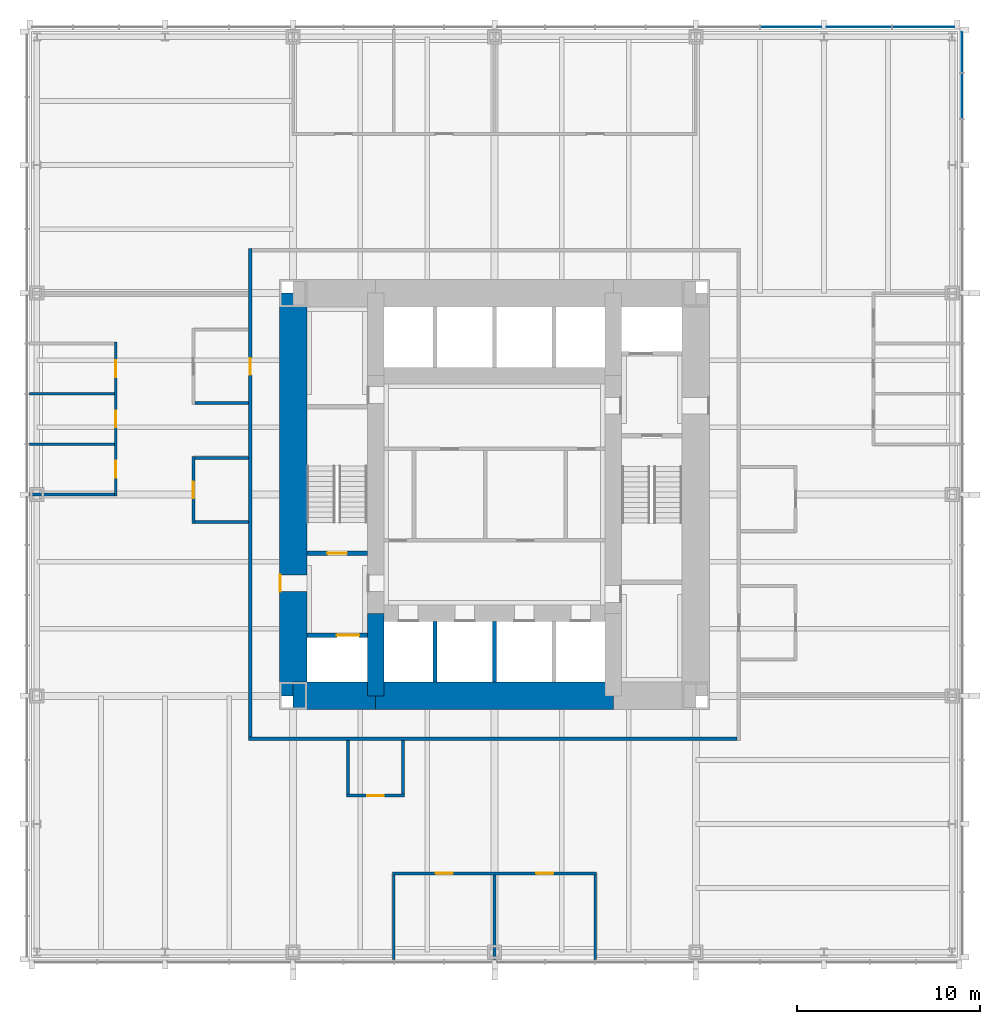
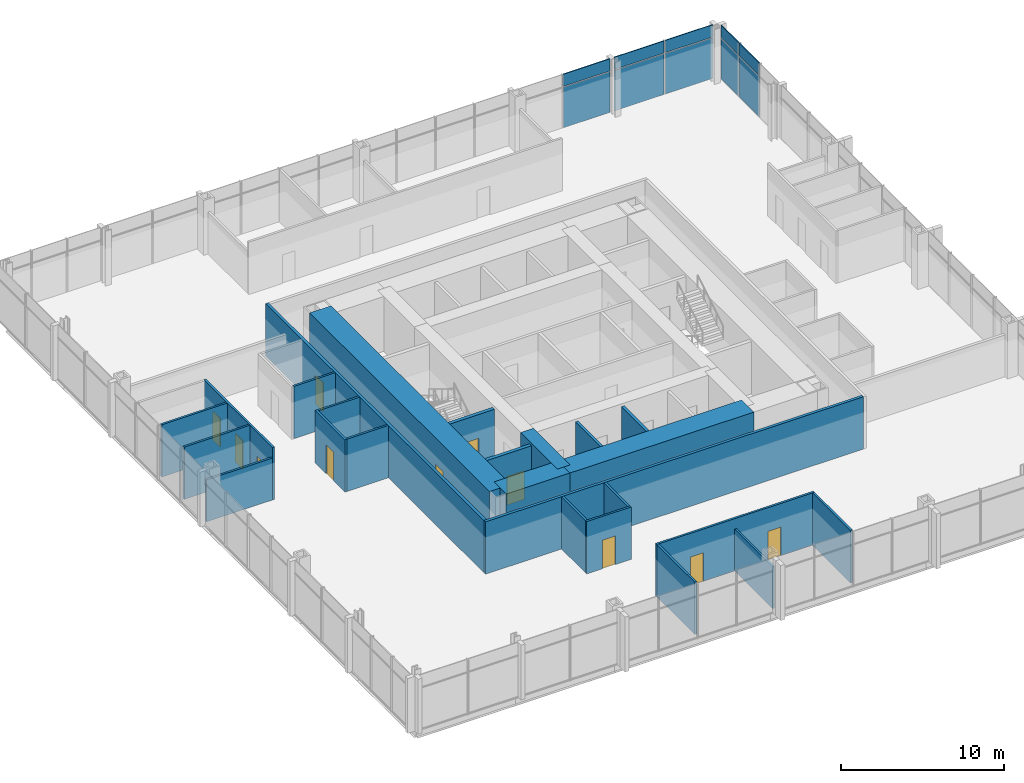
# One storey, part 9 of 12: 25 walls, 11 doors, 10 plates, 11 openings, 2 elements without a shape of their own.
"""IFC4 building model written with IfcOpenShell, lengths in metres."""

from ifc_helpers import new_model, si_unit, direction, frame, frame_2d, origin, origin_2d, place, context, subcontext, project, spatial, rectangle, extrude, material, layer, layer_set, type_object, element, fill, aggregate, save


model = new_model("IFC4")

# Units and contexts
model_context = context("Model", 3, precision=1e-05, world=origin(), true_north=direction((0.0, 1.0)))
body_context = subcontext(model_context, "Body", "Model", "MODEL_VIEW")
ifc_project = project(units=[si_unit("LENGTHUNIT", "METRE"), si_unit("AREAUNIT", "SQUARE_METRE"), si_unit("VOLUMEUNIT", "CUBIC_METRE"), si_unit("PLANEANGLEUNIT", "RADIAN"), si_unit("MASSUNIT", "GRAM", prefix="KILO")], contexts=[model_context])

# Site, building, storey
site_placement = place(None, origin())
site = spatial("IfcSite", under=ifc_project, at=site_placement, CompositionType="ELEMENT")
building_placement = place(site_placement, origin())
building = spatial("IfcBuilding", under=site, at=building_placement, Name="Trevanion Tower", CompositionType="ELEMENT")
storey_placement = place(building_placement, frame((0.0, 0.0, 61.10009765625)))
storey = spatial("IfcBuildingStorey", under=building, at=storey_placement, Name="L14", CompositionType="ELEMENT", Elevation=61.10009765625)

# Curtain wall, plates
ifc_material_1 = material(Name="Aluminium and glass", Category="aluminium")
curtain_wall_type = type_object("IfcCurtainWallType", Name="CW1 curtain wall", PredefinedType="USERDEFINED", material=ifc_material_1)
curtain_wall_1_placement = place(storey_placement, origin())
curtain_wall_1 = element("IfcCurtainWall", 1, at=curtain_wall_1_placement, inside=storey, type_object=curtain_wall_type, Name="CW1 L14 0", ObjectType="UNITISED CURTAIN WALL", PredefinedType="USERDEFINED")
ifc_material_2 = material(Name="Aluminium spandrel panel", Category="aluminium")
ifc_layer_1 = layer(ifc_material_2, 0.06005859375)
ifc_layer_set_1 = layer_set([ifc_layer_1], Name="CW1 spandrel panel")
plate_type_1 = type_object("IfcPlateType", Name="CW1 spandrel panel", PredefinedType="CURTAIN_PANEL", material=ifc_layer_set_1)
plate_1_placement = place(storey_placement, frame((25.550048828125, 21.77490234375, 2.997314453125), z_axis=(0.0, 0.0, 1.0), x_axis=(0.0, 1.0, 0.0)))
plate_1 = element("IfcPlate", 2, at=plate_1_placement, type_object=plate_type_1, Name="CW1 panel 16.2", PredefinedType="CURTAIN_PANEL", context=body_context, shape_type="SweptSolid", body=[
    extrude(rectangle(XDim=2.441650390625, YDim=0.06005859375, at=origin_2d()), origin(), (0.0, 0.0, 1.0), 0.91259765625),
])
plate_2_placement = place(storey_placement, frame((25.550048828125, 24.160400390625, 2.997314453125), z_axis=(0.0, 0.0, 1.0), x_axis=(0.0, 1.0, 0.0)))
plate_2 = element("IfcPlate", 3, at=plate_2_placement, type_object=plate_type_1, Name="CW1 panel 17.2", PredefinedType="CURTAIN_PANEL", context=body_context, shape_type="SweptSolid", body=[
    extrude(rectangle(XDim=2.17919921875, YDim=0.06005859375, at=origin_2d()), origin(), (0.0, 0.0, 1.0), 0.91259765625),
])

curtain_wall_2_placement = place(storey_placement, origin())
curtain_wall_2 = element("IfcCurtainWall", 4, at=curtain_wall_2_placement, inside=storey, type_object=curtain_wall_type, Name="CW1 L14 1", ObjectType="UNITISED CURTAIN WALL", PredefinedType="USERDEFINED")
plate_3_placement = place(storey_placement, frame((23.433837890625, 25.550048828125, 2.997314453125), z_axis=(0.0, 0.0, 1.0), x_axis=(-1.0, 0.0, 0.0)))
plate_3 = element("IfcPlate", 5, at=plate_3_placement, type_object=plate_type_1, Name="CW1 panel 1.2", PredefinedType="CURTAIN_PANEL", context=body_context, shape_type="SweptSolid", body=[
    extrude(rectangle(XDim=3.37255859375, YDim=0.06005859375, at=origin_2d()), origin(), (0.0, 0.0, 1.0), 0.91259765625),
])
plate_4_placement = place(storey_placement, frame((19.911376953125, 25.550048828125, 2.997314453125), z_axis=(0.0, 0.0, 1.0), x_axis=(-1.0, 0.0, 0.0)))
plate_4 = element("IfcPlate", 6, at=plate_4_placement, type_object=plate_type_1, Name="CW1 panel 2.2", PredefinedType="CURTAIN_PANEL", context=body_context, shape_type="SweptSolid", body=[
    extrude(rectangle(XDim=3.5224609375, YDim=0.06005859375, at=origin_2d()), origin(), (0.0, 0.0, 1.0), 0.91259765625),
])
plate_5_placement = place(storey_placement, frame((16.19384765625, 25.550048828125, 2.997314453125), z_axis=(0.0, 0.0, 1.0), x_axis=(-1.0, 0.0, 0.0)))
plate_5 = element("IfcPlate", 7, at=plate_5_placement, type_object=plate_type_1, Name="CW1 panel 3.2", PredefinedType="CURTAIN_PANEL", context=body_context, shape_type="SweptSolid", body=[
    extrude(rectangle(XDim=3.3125, YDim=0.06005859375, at=origin_2d()), origin(), (0.0, 0.0, 1.0), 0.91259765625),
])

# Plate
ifc_material_3 = material(Name="Insulating glass unit", Category="glass")
ifc_layer_2 = layer(ifc_material_3, 0.028076171875)
ifc_layer_set_2 = layer_set([ifc_layer_2], Name="CW1 vision panel")
plate_type_2 = type_object("IfcPlateType", Name="CW1 vision panel", PredefinedType="CURTAIN_PANEL", material=ifc_layer_set_2)
plate_6_placement = place(storey_placement, frame((25.550048828125, 21.77490234375, -0.114990234375), z_axis=(0.0, 0.0, 1.0), x_axis=(0.0, 1.0, 0.0)))
plate_6 = element("IfcPlate", 8, at=plate_6_placement, type_object=plate_type_2, Name="CW1 panel 16.1", PredefinedType="CURTAIN_PANEL", context=body_context, shape_type="SweptSolid", body=[
    extrude(rectangle(XDim=2.441650390625, YDim=0.028076171875, at=origin_2d()), origin(), (0.0, 0.0, 1.0), 3.03759765625),
])

plate_7_placement = place(storey_placement, frame((25.550048828125, 24.160400390625, -0.114990234375), z_axis=(0.0, 0.0, 1.0), x_axis=(0.0, 1.0, 0.0)))
plate_7 = element("IfcPlate", 9, at=plate_7_placement, type_object=plate_type_2, Name="CW1 panel 17.1", PredefinedType="CURTAIN_PANEL", context=body_context, shape_type="SweptSolid", body=[
    extrude(rectangle(XDim=2.17919921875, YDim=0.028076171875, at=origin_2d()), origin(), (0.0, 0.0, 1.0), 3.03759765625),
])

aggregate(curtain_wall_1, [plate_6, plate_1, plate_7, plate_2])

plate_8_placement = place(storey_placement, frame((23.433837890625, 25.550048828125, -0.114990234375), z_axis=(0.0, 0.0, 1.0), x_axis=(-1.0, 0.0, 0.0)))
plate_8 = element("IfcPlate", 10, at=plate_8_placement, type_object=plate_type_2, Name="CW1 panel 1.1", PredefinedType="CURTAIN_PANEL", context=body_context, shape_type="SweptSolid", body=[
    extrude(rectangle(XDim=3.37255859375, YDim=0.028076171875, at=origin_2d()), origin(), (0.0, 0.0, 1.0), 3.03759765625),
])

plate_9_placement = place(storey_placement, frame((19.911376953125, 25.550048828125, -0.114990234375), z_axis=(0.0, 0.0, 1.0), x_axis=(-1.0, 0.0, 0.0)))
plate_9 = element("IfcPlate", 11, at=plate_9_placement, type_object=plate_type_2, Name="CW1 panel 2.1", PredefinedType="CURTAIN_PANEL", context=body_context, shape_type="SweptSolid", body=[
    extrude(rectangle(XDim=3.5224609375, YDim=0.028076171875, at=origin_2d()), origin(), (0.0, 0.0, 1.0), 3.03759765625),
])

plate_10_placement = place(storey_placement, frame((16.19384765625, 25.550048828125, -0.114990234375), z_axis=(0.0, 0.0, 1.0), x_axis=(-1.0, 0.0, 0.0)))
plate_10 = element("IfcPlate", 12, at=plate_10_placement, type_object=plate_type_2, Name="CW1 panel 3.1", PredefinedType="CURTAIN_PANEL", context=body_context, shape_type="SweptSolid", body=[
    extrude(rectangle(XDim=3.3125, YDim=0.028076171875, at=origin_2d()), origin(), (0.0, 0.0, 1.0), 3.03759765625),
])

aggregate(curtain_wall_2, [plate_8, plate_3, plate_9, plate_4, plate_10, plate_5])

# Wall, opening, door
ifc_material_4 = material(Name="Concrete 10,000 psi", Category="concrete")
ifc_layer_3 = layer(ifc_material_4, 1.5)
ifc_layer_set_3 = layer_set([ifc_layer_3], Name="CW1 core wall 1500")
wall_type_1 = type_object("IfcWallType", Name="CW1 core wall 1500", PredefinedType="SHEAR", material=ifc_layer_set_3)
wall_1_placement = place(storey_placement, frame((-11.0, 11.0, 0.0), z_axis=(0.0, 0.0, 1.0), x_axis=(0.0, -1.0, 0.0)))
wall_1 = element("IfcWall", 13, at=wall_1_placement, inside=storey, type_object=wall_type_1, Name="CW1 CW L14", PredefinedType="SHEAR", context=body_context, shape_type="SweptSolid", body=[
    extrude(rectangle(XDim=22.0, YDim=1.5, at=frame_2d((11.0, 0.0))), origin(), (0.0, 0.0, 1.0), 4.099853515625),
])
opening_1_placement = place(wall_1_placement, frame((15.392578125, 0.0, 0.0)))
opening_1 = element("IfcOpeningElement", 14, at=opening_1_placement, cuts=wall_1, Name="Opening 14-002", PredefinedType="OPENING", context=body_context, shape_type="SweptSolid", body=[
    extrude(rectangle(XDim=0.9150390625, YDim=2.134033203125, at=frame_2d((0.45751953125, 1.06689453125))), frame((0.0, 0.760009765625, 0.0), z_axis=(0.0, -1.0, 0.0), x_axis=(1.0, 0.0, 0.0)), (0.0, 0.0, 1.0), 1.52001953125),
])
ifc_material_5 = material(Name="Hollow metal, fire rated", Category="steel")
door_type_1 = type_object("IfcDoorType", Name="D3 fire lift lobby door", OperationType="SINGLE_SWING_RIGHT", PredefinedType="DOOR", material=ifc_material_5)
door_1_placement = place(opening_1_placement, origin())
door_1 = element("IfcDoor", 15, at=door_1_placement, inside=storey, type_object=door_type_1, Name="Door 14-002", OperationType="SINGLE_SWING_RIGHT", OverallHeight=2.134033203125, OverallWidth=0.9150390625, PredefinedType="DOOR", context=body_context, shape_type="SweptSolid", body=[
    extrude(rectangle(XDim=0.9150390625, YDim=2.134033203125, at=frame_2d((0.45751953125, 1.06689453125))), frame((0.0, -0.6748046875, 0.0), z_axis=(0.0, -1.0, 0.0), x_axis=(1.0, 0.0, 0.0)), (0.0, 0.0, 1.0), 0.050048828125),
])
fill(opening_1, door_1)

# Walls
wall_2_placement = place(storey_placement, frame((-11.0, -11.0, 0.0), z_axis=(0.0, 0.0, 1.0), x_axis=(1.0, 0.0, 0.0)))
element("IfcWall", 16, at=wall_2_placement, inside=storey, type_object=wall_type_1, Name="CW1 CS1 L14", PredefinedType="SHEAR", context=body_context, shape_type="SweptSolid", body=[
    extrude(rectangle(XDim=4.5, YDim=1.5, at=frame_2d((2.25, 0.0))), origin(), (0.0, 0.0, 1.0), 4.099853515625),
])
wall_3_placement = place(storey_placement, frame((-6.5, -11.0, 0.0), z_axis=(0.0, 0.0, 1.0), x_axis=(1.0, 0.0, 0.0)))
element("IfcWall", 17, at=wall_3_placement, inside=storey, type_object=wall_type_1, Name="CW1 CS2 L14", PredefinedType="SHEAR", context=body_context, shape_type="SweptSolid", body=[
    extrude(rectangle(XDim=13.0, YDim=1.5, at=frame_2d((6.5, 0.0))), origin(), (0.0, 0.0, 1.0), 4.099853515625),
])
ifc_material_6 = material(Name="Concrete 10,000 psi", Category="concrete")
ifc_layer_4 = layer(ifc_material_6, 0.89990234375)
ifc_layer_set_4 = layer_set([ifc_layer_4], Name="CW2 core wall 900")
wall_type_2 = type_object("IfcWallType", Name="CW2 core wall 900", PredefinedType="SHEAR", material=ifc_layer_set_4)
wall_4_placement = place(storey_placement, frame((-6.5, -6.5, 0.0), z_axis=(0.0, 0.0, 1.0), x_axis=(0.0, -1.0, 0.0)))
element("IfcWall", 18, at=wall_4_placement, inside=storey, type_object=wall_type_2, Name="CW2 RW3 L14", PredefinedType="SHEAR", context=body_context, shape_type="SweptSolid", body=[
    extrude(rectangle(XDim=4.5, YDim=0.89990234375, at=frame_2d((2.25, 0.0))), origin(), (0.0, 0.0, 1.0), 4.099853515625),
])

# Wall, openings, doors
ifc_material_7 = material(Name="Gypsum board on steel studs", Category="steel")
ifc_layer_5 = layer(ifc_material_7, 0.14990234375)
ifc_layer_set_5 = layer_set([ifc_layer_5], Name="PT1 partition 150")
wall_type_3 = type_object("IfcWallType", Name="PT1 partition 150", PredefinedType="PARTITIONING", material=ifc_layer_set_5)
wall_5_placement = place(storey_placement, frame((-5.574951171875, -20.699951171875, 0.0), z_axis=(0.0, 0.0, 1.0), x_axis=(1.0, 0.0, 0.0)))
wall_5 = element("IfcWall", 19, at=wall_5_placement, inside=storey, type_object=wall_type_3, Name="PT1 L14 FC3F", PredefinedType="PARTITIONING", context=body_context, shape_type="SweptSolid", body=[
    extrude(rectangle(XDim=11.14990234375, YDim=0.14990234375, at=frame_2d((5.574951171875, 0.0))), origin(), (0.0, 0.0, 1.0), 3.909912109375),
])
opening_2_placement = place(wall_5_placement, frame((2.367431640625, 0.0, 0.0)))
opening_2 = element("IfcOpeningElement", 20, at=opening_2_placement, cuts=wall_5, Name="Opening 14-022", PredefinedType="OPENING", context=body_context, shape_type="SweptSolid", body=[
    extrude(rectangle(XDim=0.9150390625, YDim=2.134033203125, at=frame_2d((0.45751953125, 1.06689453125))), frame((0.0, 0.0849609375, 0.0), z_axis=(0.0, -1.0, 0.0), x_axis=(1.0, 0.0, 0.0)), (0.0, 0.0, 1.0), 0.169921875),
])
opening_3_placement = place(wall_5_placement, frame((7.867431640625, 0.0, 0.0)))
opening_3 = element("IfcOpeningElement", 21, at=opening_3_placement, cuts=wall_5, Name="Opening 14-023", PredefinedType="OPENING", context=body_context, shape_type="SweptSolid", body=[
    extrude(rectangle(XDim=0.9150390625, YDim=2.134033203125, at=frame_2d((0.45751953125, 1.06689453125))), frame((0.0, 0.0849609375, 0.0), z_axis=(0.0, -1.0, 0.0), x_axis=(1.0, 0.0, 0.0)), (0.0, 0.0, 1.0), 0.169921875),
])
ifc_material_8 = material(Name="Timber veneer, solid core", Category="wood")
door_type_2 = type_object("IfcDoorType", Name="D1 office and meeting room door", OperationType="SINGLE_SWING_LEFT", PredefinedType="DOOR", material=ifc_material_8)
door_2_placement = place(opening_2_placement, origin())
door_2 = element("IfcDoor", 22, at=door_2_placement, inside=storey, type_object=door_type_2, Name="Door 14-022", OperationType="SINGLE_SWING_LEFT", OverallHeight=2.134033203125, OverallWidth=0.9150390625, PredefinedType="DOOR", context=body_context, shape_type="SweptSolid", body=[
    extrude(rectangle(XDim=0.9150390625, YDim=2.134033203125, at=frame_2d((0.45751953125, 1.06689453125))), frame((0.0, 0.02490234375, 0.0), z_axis=(0.0, -1.0, 0.0), x_axis=(1.0, 0.0, 0.0)), (0.0, 0.0, 1.0), 0.050048828125),
])
fill(opening_2, door_2)
door_3_placement = place(opening_3_placement, origin())
door_3 = element("IfcDoor", 23, at=door_3_placement, inside=storey, type_object=door_type_2, Name="Door 14-023", OperationType="SINGLE_SWING_LEFT", OverallHeight=2.134033203125, OverallWidth=0.9150390625, PredefinedType="DOOR", context=body_context, shape_type="SweptSolid", body=[
    extrude(rectangle(XDim=0.9150390625, YDim=2.134033203125, at=frame_2d((0.45751953125, 1.06689453125))), frame((0.0, 0.02490234375, 0.0), z_axis=(0.0, -1.0, 0.0), x_axis=(1.0, 0.0, 0.0)), (0.0, 0.0, 1.0), 0.050048828125),
])
fill(opening_3, door_3)

# Walls
wall_6_placement = place(storey_placement, frame((-5.5, -20.77490234375, 0.0), z_axis=(0.0, 0.0, 1.0), x_axis=(0.0, -1.0, 0.0)))
element("IfcWall", 24, at=wall_6_placement, inside=storey, type_object=wall_type_3, Name="PT1 L14 FC3S0", PredefinedType="PARTITIONING", context=body_context, shape_type="SweptSolid", body=[
    extrude(rectangle(XDim=4.64013671875, YDim=0.14990234375, at=frame_2d((2.320068359375, 0.0))), origin(), (0.0, 0.0, 1.0), 3.909912109375),
])
wall_7_placement = place(storey_placement, frame((0.0, -20.77490234375, 0.0), z_axis=(0.0, 0.0, 1.0), x_axis=(0.0, -1.0, 0.0)))
element("IfcWall", 25, at=wall_7_placement, inside=storey, type_object=wall_type_3, Name="PT1 L14 FC3S2", PredefinedType="PARTITIONING", context=body_context, shape_type="SweptSolid", body=[
    extrude(rectangle(XDim=4.64013671875, YDim=0.14990234375, at=frame_2d((2.320068359375, 0.0))), origin(), (0.0, 0.0, 1.0), 3.130126953125),
])
wall_8_placement = place(storey_placement, frame((5.5, -20.77490234375, 0.0), z_axis=(0.0, 0.0, 1.0), x_axis=(0.0, -1.0, 0.0)))
element("IfcWall", 26, at=wall_8_placement, inside=storey, type_object=wall_type_3, Name="PT1 L14 FC3S4", PredefinedType="PARTITIONING", context=body_context, shape_type="SweptSolid", body=[
    extrude(rectangle(XDim=4.64013671875, YDim=0.14990234375, at=frame_2d((2.320068359375, 0.0))), origin(), (0.0, 0.0, 1.0), 3.909912109375),
])

# Wall, openings, doors
wall_9_placement = place(storey_placement, frame((-20.699951171875, 8.324951171875, 0.0), z_axis=(0.0, 0.0, 1.0), x_axis=(0.0, -1.0, 0.0)))
wall_9 = element("IfcWall", 27, at=wall_9_placement, inside=storey, type_object=wall_type_3, Name="PT1 L14 FC2F", PredefinedType="PARTITIONING", context=body_context, shape_type="SweptSolid", body=[
    extrude(rectangle(XDim=8.39990234375, YDim=0.14990234375, at=frame_2d((4.199951171875, 0.0))), origin(), (0.0, 0.0, 1.0), 3.909912109375),
])
opening_4_placement = place(wall_9_placement, frame((0.992431640625, 0.0, 0.0)))
opening_4 = element("IfcOpeningElement", 28, at=opening_4_placement, cuts=wall_9, Name="Opening 14-027", PredefinedType="OPENING", context=body_context, shape_type="SweptSolid", body=[
    extrude(rectangle(XDim=0.9150390625, YDim=2.134033203125, at=frame_2d((0.45751953125, 1.06689453125))), frame((0.0, 0.0849609375, 0.0), z_axis=(0.0, -1.0, 0.0), x_axis=(1.0, 0.0, 0.0)), (0.0, 0.0, 1.0), 0.169921875),
])
opening_5_placement = place(wall_9_placement, frame((3.742431640625, 0.0, 0.0)))
opening_5 = element("IfcOpeningElement", 29, at=opening_5_placement, cuts=wall_9, Name="Opening 14-028", PredefinedType="OPENING", context=body_context, shape_type="SweptSolid", body=[
    extrude(rectangle(XDim=0.9150390625, YDim=2.134033203125, at=frame_2d((0.45751953125, 1.06689453125))), frame((0.0, 0.0849609375, 0.0), z_axis=(0.0, -1.0, 0.0), x_axis=(1.0, 0.0, 0.0)), (0.0, 0.0, 1.0), 0.169921875),
])
opening_6_placement = place(wall_9_placement, frame((6.492431640625, 0.0, 0.0)))
opening_6 = element("IfcOpeningElement", 30, at=opening_6_placement, cuts=wall_9, Name="Opening 14-029", PredefinedType="OPENING", context=body_context, shape_type="SweptSolid", body=[
    extrude(rectangle(XDim=0.9150390625, YDim=2.134033203125, at=frame_2d((0.45751953125, 1.06689453125))), frame((0.0, 0.0849609375, 0.0), z_axis=(0.0, -1.0, 0.0), x_axis=(1.0, 0.0, 0.0)), (0.0, 0.0, 1.0), 0.169921875),
])
door_4_placement = place(opening_4_placement, origin())
door_4 = element("IfcDoor", 31, at=door_4_placement, inside=storey, type_object=door_type_2, Name="Door 14-027", OperationType="SINGLE_SWING_LEFT", OverallHeight=2.134033203125, OverallWidth=0.9150390625, PredefinedType="DOOR", context=body_context, shape_type="SweptSolid", body=[
    extrude(rectangle(XDim=0.9150390625, YDim=2.134033203125, at=frame_2d((0.45751953125, 1.06689453125))), frame((0.0, 0.02490234375, 0.0), z_axis=(0.0, -1.0, 0.0), x_axis=(1.0, 0.0, 0.0)), (0.0, 0.0, 1.0), 0.050048828125),
])
fill(opening_4, door_4)
door_5_placement = place(opening_5_placement, origin())
door_5 = element("IfcDoor", 32, at=door_5_placement, inside=storey, type_object=door_type_2, Name="Door 14-028", OperationType="SINGLE_SWING_LEFT", OverallHeight=2.134033203125, OverallWidth=0.9150390625, PredefinedType="DOOR", context=body_context, shape_type="SweptSolid", body=[
    extrude(rectangle(XDim=0.9150390625, YDim=2.134033203125, at=frame_2d((0.45751953125, 1.06689453125))), frame((0.0, 0.02490234375, 0.0), z_axis=(0.0, -1.0, 0.0), x_axis=(1.0, 0.0, 0.0)), (0.0, 0.0, 1.0), 0.050048828125),
])
fill(opening_5, door_5)
door_6_placement = place(opening_6_placement, origin())
door_6 = element("IfcDoor", 33, at=door_6_placement, inside=storey, type_object=door_type_2, Name="Door 14-029", OperationType="SINGLE_SWING_LEFT", OverallHeight=2.134033203125, OverallWidth=0.9150390625, PredefinedType="DOOR", context=body_context, shape_type="SweptSolid", body=[
    extrude(rectangle(XDim=0.9150390625, YDim=2.134033203125, at=frame_2d((0.45751953125, 1.06689453125))), frame((0.0, 0.02490234375, 0.0), z_axis=(0.0, -1.0, 0.0), x_axis=(1.0, 0.0, 0.0)), (0.0, 0.0, 1.0), 0.050048828125),
])
fill(opening_6, door_6)

# Walls
for number, where, z_axis, x_axis, name in (
    (34, (-20.77490234375, 5.5, 0.0), (0.0, 0.0, 1.0), (-1.0, 0.0, 0.0), "PT1 L14 FC2S1"),
    (35, (-20.77490234375, 2.75, 0.0), (0.0, 0.0, 1.0), (-1.0, 0.0, 0.0), "PT1 L14 FC2S2"),
):
    element("IfcWall", number, at=place(storey_placement, frame(where, z_axis=z_axis, x_axis=x_axis)), inside=storey, type_object=wall_type_3, Name=name, PredefinedType="PARTITIONING", context=body_context, shape_type="SweptSolid", body=[
        extrude(rectangle(XDim=4.64013671875, YDim=0.14990234375, at=frame_2d((2.320068359375, 0.0))), origin(), (0.0, 0.0, 1.0), 3.909912109375),
    ])
wall_10_placement = place(storey_placement, frame((-20.77490234375, 0.0, 0.0), z_axis=(0.0, 0.0, 1.0), x_axis=(-1.0, 0.0, 0.0)))
element("IfcWall", 36, at=wall_10_placement, inside=storey, type_object=wall_type_3, Name="PT1 L14 FC2S3", PredefinedType="PARTITIONING", context=body_context, shape_type="SweptSolid", body=[
    extrude(rectangle(XDim=4.64013671875, YDim=0.14990234375, at=frame_2d((2.320068359375, 0.0))), origin(), (0.0, 0.0, 1.0), 3.130126953125),
])
wall_11_placement = place(storey_placement, frame((-16.375, 5.0, 0.0), z_axis=(0.0, 0.0, 1.0), x_axis=(1.0, 0.0, 0.0)))
element("IfcWall", 37, at=wall_11_placement, inside=storey, type_object=wall_type_3, Name="PT1 L14 IN20S1", PredefinedType="PARTITIONING", context=body_context, shape_type="SweptSolid", body=[
    extrude(rectangle(XDim=2.925048828125, YDim=0.14990234375, at=frame_2d((1.46240234375, 0.0))), origin(), (0.0, 0.0, 1.0), 3.909912109375),
])

# Wall, opening, door
wall_12_placement = place(storey_placement, frame((-16.449951171875, 2.074951171875, 0.0), z_axis=(0.0, 0.0, 1.0), x_axis=(0.0, -1.0, 0.0)))
wall_12 = element("IfcWall", 38, at=wall_12_placement, inside=storey, type_object=wall_type_3, Name="PT1 L14 IN21F", PredefinedType="PARTITIONING", context=body_context, shape_type="SweptSolid", body=[
    extrude(rectangle(XDim=3.64990234375, YDim=0.14990234375, at=frame_2d((1.824951171875, 0.0))), origin(), (0.0, 0.0, 1.0), 3.909912109375),
])
opening_7_placement = place(wall_12_placement, frame((1.367431640625, 0.0, 0.0)))
opening_7 = element("IfcOpeningElement", 39, at=opening_7_placement, cuts=wall_12, Name="Opening 14-035", PredefinedType="OPENING", context=body_context, shape_type="SweptSolid", body=[
    extrude(rectangle(XDim=0.9150390625, YDim=2.134033203125, at=frame_2d((0.45751953125, 1.06689453125))), frame((0.0, 0.0849609375, 0.0), z_axis=(0.0, -1.0, 0.0), x_axis=(1.0, 0.0, 0.0)), (0.0, 0.0, 1.0), 0.169921875),
])
door_7_placement = place(opening_7_placement, origin())
door_7 = element("IfcDoor", 40, at=door_7_placement, inside=storey, type_object=door_type_2, Name="Door 14-035", OperationType="SINGLE_SWING_LEFT", OverallHeight=2.134033203125, OverallWidth=0.9150390625, PredefinedType="DOOR", context=body_context, shape_type="SweptSolid", body=[
    extrude(rectangle(XDim=0.9150390625, YDim=2.134033203125, at=frame_2d((0.45751953125, 1.06689453125))), frame((0.0, 0.02490234375, 0.0), z_axis=(0.0, -1.0, 0.0), x_axis=(1.0, 0.0, 0.0)), (0.0, 0.0, 1.0), 0.050048828125),
])
fill(opening_7, door_7)

# Walls
for number, where, z_axis, x_axis, name in (
    (41, (-16.375, 2.0, 0.0), (0.0, 0.0, 1.0), (1.0, 0.0, 0.0), "PT1 L14 IN21S0"),
    (42, (-16.375, -1.5, 0.0), (0.0, 0.0, 1.0), (1.0, 0.0, 0.0), "PT1 L14 IN21S1"),
):
    element("IfcWall", number, at=place(storey_placement, frame(where, z_axis=z_axis, x_axis=x_axis)), inside=storey, type_object=wall_type_3, Name=name, PredefinedType="PARTITIONING", context=body_context, shape_type="SweptSolid", body=[
        extrude(rectangle(XDim=2.925048828125, YDim=0.14990234375, at=frame_2d((1.46240234375, 0.0))), origin(), (0.0, 0.0, 1.0), 3.909912109375),
    ])

# Wall, opening, door
wall_13_placement = place(storey_placement, frame((-8.074951171875, -16.449951171875, 0.0), z_axis=(0.0, 0.0, 1.0), x_axis=(1.0, 0.0, 0.0)))
wall_13 = element("IfcWall", 43, at=wall_13_placement, inside=storey, type_object=wall_type_3, Name="PT1 L14 IN30F", PredefinedType="PARTITIONING", context=body_context, shape_type="SweptSolid", body=[
    extrude(rectangle(XDim=3.14990234375, YDim=0.14990234375, at=frame_2d((1.574951171875, 0.0))), origin(), (0.0, 0.0, 1.0), 3.909912109375),
])
opening_8_placement = place(wall_13_placement, frame((1.117431640625, 0.0, 0.0)))
opening_8 = element("IfcOpeningElement", 44, at=opening_8_placement, cuts=wall_13, Name="Opening 14-036", PredefinedType="OPENING", context=body_context, shape_type="SweptSolid", body=[
    extrude(rectangle(XDim=0.9150390625, YDim=2.134033203125, at=frame_2d((0.45751953125, 1.06689453125))), frame((0.0, 0.0849609375, 0.0), z_axis=(0.0, -1.0, 0.0), x_axis=(1.0, 0.0, 0.0)), (0.0, 0.0, 1.0), 0.169921875),
])
door_8_placement = place(opening_8_placement, origin())
door_8 = element("IfcDoor", 45, at=door_8_placement, inside=storey, type_object=door_type_2, Name="Door 14-036", OperationType="SINGLE_SWING_LEFT", OverallHeight=2.134033203125, OverallWidth=0.9150390625, PredefinedType="DOOR", context=body_context, shape_type="SweptSolid", body=[
    extrude(rectangle(XDim=0.9150390625, YDim=2.134033203125, at=frame_2d((0.45751953125, 1.06689453125))), frame((0.0, 0.02490234375, 0.0), z_axis=(0.0, -1.0, 0.0), x_axis=(1.0, 0.0, 0.0)), (0.0, 0.0, 1.0), 0.050048828125),
])
fill(opening_8, door_8)

# Walls
for number, where, z_axis, x_axis, name in (
    (46, (-8.0, -16.375, 0.0), (0.0, 0.0, 1.0), (0.0, 1.0, 0.0), "PT1 L14 IN30S0"),
    (47, (-5.0, -16.375, 0.0), (0.0, 0.0, 1.0), (0.0, 1.0, 0.0), "PT1 L14 IN30S1"),
):
    element("IfcWall", number, at=place(storey_placement, frame(where, z_axis=z_axis, x_axis=x_axis)), inside=storey, type_object=wall_type_3, Name=name, PredefinedType="PARTITIONING", context=body_context, shape_type="SweptSolid", body=[
        extrude(rectangle(XDim=2.925048828125, YDim=0.14990234375, at=frame_2d((1.46240234375, 0.0))), origin(), (0.0, 0.0, 1.0), 3.909912109375),
    ])

# Wall, opening, door
ifc_material_9 = material(Name="Concrete masonry, grouted", Category="masonry")
ifc_layer_6 = layer(ifc_material_9, 0.199951171875)
ifc_layer_set_6 = layer_set([ifc_layer_6], Name="PT2 partition 200 1 HR")
wall_type_4 = type_object("IfcWallType", Name="PT2 partition 200 1 HR", PredefinedType="PARTITIONING", material=ifc_layer_set_6)
wall_14_placement = place(storey_placement, frame((-13.35009765625, 13.449951171875, 0.0), z_axis=(0.0, 0.0, 1.0), x_axis=(0.0, -1.0, 0.0)))
wall_14 = element("IfcWall", 48, at=wall_14_placement, inside=storey, type_object=wall_type_4, Name="PT2 L14 OC2", PredefinedType="PARTITIONING", context=body_context, shape_type="SweptSolid", body=[
    extrude(rectangle(XDim=26.699951171875, YDim=0.199951171875, at=frame_2d((13.35009765625, 0.0))), origin(), (0.0, 0.0, 1.0), 3.909912109375),
])
opening_9_placement = place(wall_14_placement, frame((5.992431640625, 0.0, 0.0)))
opening_9 = element("IfcOpeningElement", 49, at=opening_9_placement, cuts=wall_14, Name="Opening 14-034", PredefinedType="OPENING", context=body_context, shape_type="SweptSolid", body=[
    extrude(rectangle(XDim=0.9150390625, YDim=2.134033203125, at=frame_2d((0.45751953125, 1.06689453125))), frame((0.0, 0.10986328125, 0.0), z_axis=(0.0, -1.0, 0.0), x_axis=(1.0, 0.0, 0.0)), (0.0, 0.0, 1.0), 0.219970703125),
])
ifc_material_10 = material(Name="Timber veneer, fire rated", Category="wood")
door_type_3 = type_object("IfcDoorType", Name="D10 office door in a one hour wall", OperationType="SINGLE_SWING_LEFT", PredefinedType="DOOR", material=ifc_material_10)
door_9_placement = place(opening_9_placement, origin())
door_9 = element("IfcDoor", 50, at=door_9_placement, inside=storey, type_object=door_type_3, Name="Door 14-034", OperationType="SINGLE_SWING_LEFT", OverallHeight=2.134033203125, OverallWidth=0.9150390625, PredefinedType="DOOR", context=body_context, shape_type="SweptSolid", body=[
    extrude(rectangle(XDim=0.9150390625, YDim=2.134033203125, at=frame_2d((0.45751953125, 1.06689453125))), frame((0.0, 0.02490234375, 0.0), z_axis=(0.0, -1.0, 0.0), x_axis=(1.0, 0.0, 0.0)), (0.0, 0.0, 1.0), 0.050048828125),
])
fill(opening_9, door_9)

# Walls
wall_15_placement = place(storey_placement, frame((-13.449951171875, -13.35009765625, 0.0), z_axis=(0.0, 0.0, 1.0), x_axis=(1.0, 0.0, 0.0)))
element("IfcWall", 51, at=wall_15_placement, inside=storey, type_object=wall_type_4, Name="PT2 L14 OC3", PredefinedType="PARTITIONING", context=body_context, shape_type="SweptSolid", body=[
    extrude(rectangle(XDim=26.699951171875, YDim=0.199951171875, at=frame_2d((13.35009765625, 0.0))), origin(), (0.0, 0.0, 1.0), 3.909912109375),
])
ifc_material_11 = material(Name="Concrete masonry, grouted", Category="masonry")
ifc_layer_7 = layer(ifc_material_11, 0.199951171875)
ifc_layer_set_7 = layer_set([ifc_layer_7], Name="PT2 partition 200 2 HR")
wall_type_5 = type_object("IfcWallType", Name="PT2 partition 200 2 HR", PredefinedType="PARTITIONING", material=ifc_layer_set_7)
for number, where, z_axis, x_axis, name in (
    (52, (-3.25, -10.25, 0.0), (0.0, 0.0, 1.0), (0.0, 1.0, 0.0), "PT2 L14 SS0"),
    (53, (0.0, -10.25, 0.0), (0.0, 0.0, 1.0), (0.0, 1.0, 0.0), "PT2 L14 SS1"),
):
    element("IfcWall", number, at=place(storey_placement, frame(where, z_axis=z_axis, x_axis=x_axis)), inside=storey, type_object=wall_type_5, Name=name, PredefinedType="PARTITIONING", context=body_context, shape_type="SweptSolid", body=[
        extrude(rectangle(XDim=3.300048828125, YDim=0.199951171875, at=frame_2d((1.64990234375, 0.0))), origin(), (0.0, 0.0, 1.0), 3.909912109375),
    ])

# Wall, opening, door
ifc_material_12 = material(Name="Concrete masonry, grouted, two-hour", Category="masonry")
ifc_layer_8 = layer(ifc_material_12, 0.25)
ifc_layer_set_8 = layer_set([ifc_layer_8], Name="PT3 partition 250 2 HR")
wall_type_6 = type_object("IfcWallType", Name="PT3 partition 250 2 HR", PredefinedType="PARTITIONING", material=ifc_layer_set_8)
wall_16_placement = place(storey_placement, frame((-6.949951171875, -7.699951171875, 0.0), z_axis=(0.0, 0.0, 1.0), x_axis=(-1.0, 0.0, 0.0)))
wall_16 = element("IfcWall", 54, at=wall_16_placement, inside=storey, type_object=wall_type_6, Name="PT3 L14 WP3", PredefinedType="PARTITIONING", context=body_context, shape_type="SweptSolid", body=[
    extrude(rectangle(XDim=3.300048828125, YDim=0.25, at=frame_2d((1.64990234375, 0.0))), origin(), (0.0, 0.0, 1.0), 3.909912109375),
])
opening_10_placement = place(wall_16_placement, frame((0.449951171875, 0.0, 0.0)))
opening_10 = element("IfcOpeningElement", 55, at=opening_10_placement, cuts=wall_16, Name="Opening 14-008", PredefinedType="OPENING", context=body_context, shape_type="SweptSolid", body=[
    extrude(rectangle(XDim=1.218994140625, YDim=2.134033203125, at=frame_2d((0.609375, 1.06689453125))), frame((0.0, 0.135009765625, 0.0), z_axis=(0.0, -1.0, 0.0), x_axis=(1.0, 0.0, 0.0)), (0.0, 0.0, 1.0), 0.27001953125),
])
ifc_material_13 = material(Name="Stainless steel, fire rated", Category="steel")
door_type_4 = type_object("IfcDoorType", Name="LD2 fire service lift landing door", OperationType="SLIDING_TO_LEFT", PredefinedType="DOOR", material=ifc_material_13)
door_10_placement = place(opening_10_placement, origin())
door_10 = element("IfcDoor", 56, at=door_10_placement, inside=storey, type_object=door_type_4, Name="Door 14-008", OperationType="SLIDING_TO_LEFT", OverallHeight=2.134033203125, OverallWidth=1.218994140625, PredefinedType="DOOR", context=body_context, shape_type="SweptSolid", body=[
    extrude(rectangle(XDim=1.218994140625, YDim=2.134033203125, at=frame_2d((0.609375, 1.06689453125))), frame((0.0, 0.02490234375, 0.0), z_axis=(0.0, -1.0, 0.0), x_axis=(1.0, 0.0, 0.0)), (0.0, 0.0, 1.0), 0.050048828125),
])
fill(opening_10, door_10)

ifc_material_14 = material(Name="Reinforced masonry, fully grouted", Category="masonry")
ifc_layer_9 = layer(ifc_material_14, 0.25)
ifc_layer_set_9 = layer_set([ifc_layer_9], Name="SW1 stair shaft wall 250")
wall_type_7 = type_object("IfcWallType", Name="SW1 stair shaft wall 250", PredefinedType="SOLIDWALL", material=ifc_layer_set_9)
wall_17_placement = place(storey_placement, frame((-6.949951171875, -3.199951171875, 0.0), z_axis=(0.0, 0.0, 1.0), x_axis=(-1.0, 0.0, 0.0)))
wall_17 = element("IfcWall", 57, at=wall_17_placement, inside=storey, type_object=wall_type_7, Name="SW1 L14 WP2", PredefinedType="SOLIDWALL", context=body_context, shape_type="SweptSolid", body=[
    extrude(rectangle(XDim=3.300048828125, YDim=0.25, at=frame_2d((1.64990234375, 0.0))), origin(), (0.0, 0.0, 1.0), 3.909912109375),
])
opening_11_placement = place(wall_17_placement, frame((1.116455078125, 0.0, 0.0)))
opening_11 = element("IfcOpeningElement", 58, at=opening_11_placement, cuts=wall_17, Name="Opening 14-006", PredefinedType="OPENING", context=body_context, shape_type="SweptSolid", body=[
    extrude(rectangle(XDim=1.06689453125, YDim=2.134033203125, at=frame_2d((0.533447265625, 1.06689453125))), frame((0.0, 0.135009765625, 0.0), z_axis=(0.0, -1.0, 0.0), x_axis=(1.0, 0.0, 0.0)), (0.0, 0.0, 1.0), 0.27001953125),
])
ifc_material_15 = material(Name="Hollow metal, fire rated", Category="steel")
door_type_5 = type_object("IfcDoorType", Name="D2 exit stair door", OperationType="SINGLE_SWING_LEFT", PredefinedType="DOOR", material=ifc_material_15)
door_11_placement = place(opening_11_placement, origin())
door_11 = element("IfcDoor", 59, at=door_11_placement, inside=storey, type_object=door_type_5, Name="Door 14-006", OperationType="SINGLE_SWING_LEFT", OverallHeight=2.134033203125, OverallWidth=1.06689453125, PredefinedType="DOOR", context=body_context, shape_type="SweptSolid", body=[
    extrude(rectangle(XDim=1.06689453125, YDim=2.134033203125, at=frame_2d((0.533447265625, 1.06689453125))), frame((0.0, 0.02490234375, 0.0), z_axis=(0.0, -1.0, 0.0), x_axis=(1.0, 0.0, 0.0)), (0.0, 0.0, 1.0), 0.050048828125),
])
fill(opening_11, door_11)

save(model, "model.ifc")
